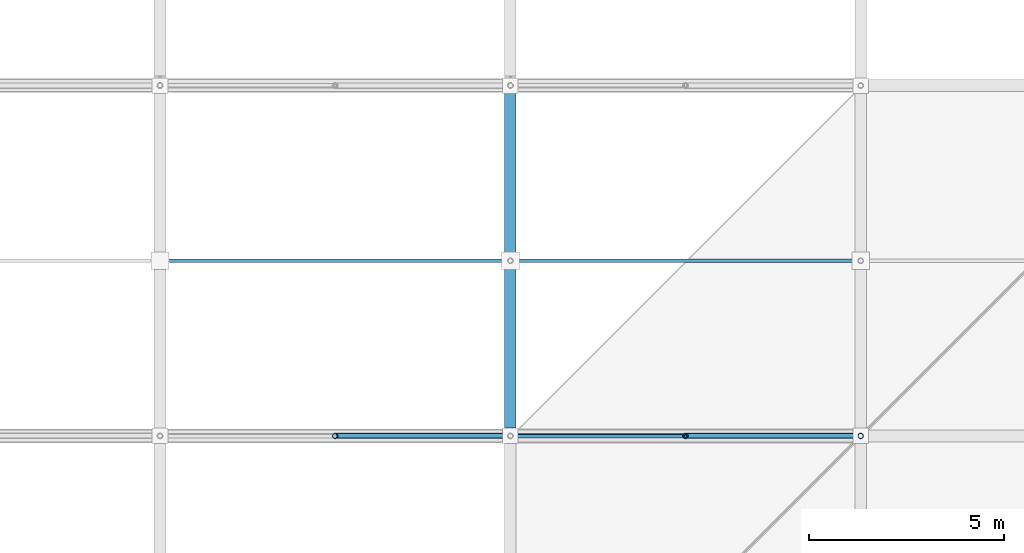
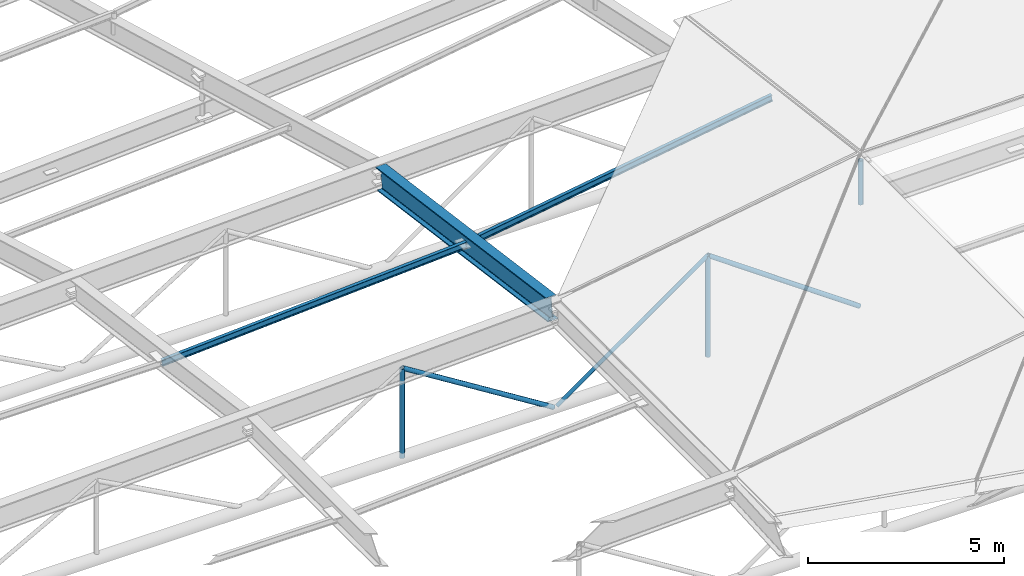
# One storey, part 42 of 80: 8 members, 1 beam.
"""IFC4 building model written with IfcOpenShell, lengths in metres."""

from ifc_helpers import new_model, si_unit, direction, frame, origin, origin_2d, place, context, subcontext, project, spatial, hollow_circle, i_section, extrude, material, material_profile, profile_set, type_object, element, save


model = new_model("IFC4")

# Units and contexts
model_context = context("Model", 3, precision=1e-05, world=origin(), true_north=direction((0.0, 1.0)))
body_context = subcontext(model_context, "Body", "Model", "MODEL_VIEW")
ifc_project = project(units=[si_unit("LENGTHUNIT", "METRE"), si_unit("AREAUNIT", "SQUARE_METRE"), si_unit("VOLUMEUNIT", "CUBIC_METRE"), si_unit("PLANEANGLEUNIT", "RADIAN"), si_unit("MASSUNIT", "GRAM", prefix="KILO")], contexts=[model_context])

# Site, building, storey
site_placement = place(None, origin())
site = spatial("IfcSite", under=ifc_project, at=site_placement, CompositionType="ELEMENT")
building_placement = place(site_placement, origin())
building = spatial("IfcBuilding", under=site, at=building_placement, Name="Barlavento Convention Centre", CompositionType="ELEMENT")
storey_placement = place(building_placement, frame((0.0, 0.0, 29.800048828125)))
storey = spatial("IfcBuildingStorey", under=building, at=storey_placement, Name="RF", CompositionType="ELEMENT", Elevation=29.800048828125)

# Beam
ifc_material_1 = material(Name="Steel S460", Category="steel")
ifc_material_profile_1 = material_profile(ifc_material_1, i_section(OverallWidth=0.300048828125, OverallDepth=0.699951171875, WebThickness=0.01708984375, FlangeThickness=0.031982421875, FilletRadius=0.027099609375, at=origin_2d()), Name="HEB 700")
ifc_profile_set_1 = profile_set([ifc_material_profile_1], Name="Steel S460")
beam_type = type_object("IfcBeamType", Name="STR-BM-TRUSS-TOP-HEB700", PredefinedType="BEAM", material=ifc_profile_set_1)
beam_placement = place(storey_placement, frame((45.0, 27.155029296875, -0.197021484375), z_axis=(0.0, 0.990821696495, -0.13517531489), x_axis=(-1.0, 0.0, 0.0)))
element("IfcBeam", 1, at=beam_placement, inside=storey, type_object=beam_type, Name="Congress roof truss space frame chord", PredefinedType="BEAM", context=body_context, shape_type="SweptSolid", body=[
    extrude(i_section(OverallWidth=0.300048828125, OverallDepth=0.699951171875, WebThickness=0.01708984375, FlangeThickness=0.031982421875, FilletRadius=0.027099609375, at=origin_2d()), origin(), (0.0, 0.0, 1.0), 8.7705078125),
])

# Members
ifc_material_2 = material(Name="Steel S355", Category="steel")
ifc_material_profile_2 = material_profile(ifc_material_2, hollow_circle(Radius=0.05712890625, WallThickness=0.00634765625, at=origin_2d()), Name="CHS 114.3x6.3")
ifc_profile_set_2 = profile_set([ifc_material_profile_2], Name="Steel S355")
member_type_1 = type_object("IfcMemberType", Name="STR-MEM-DIAG-CHS114", PredefinedType="BRACE", material=ifc_profile_set_2)
member_1_placement = place(storey_placement, frame((45.050048828125, 27.0, -3.15625), z_axis=(0.817413803331, 0.0, 0.576050930147), x_axis=(0.0, 1.0, 0.0)))
element("IfcMember", 2, at=member_1_placement, inside=storey, type_object=member_type_1, Name="Plenary hall roof truss web member", PredefinedType="BRACE", context=body_context, shape_type="SweptSolid", body=[
    extrude(hollow_circle(Radius=0.05712890625, WallThickness=0.00634765625, at=origin_2d()), origin(), (0.0, 0.0, 1.0), 5.44384765625),
])
ifc_material_profile_3 = material_profile(ifc_material_2, hollow_circle(Radius=0.06982421875, WallThickness=0.008056640625, at=origin_2d()), Name="CHS 139.7x8.0")
ifc_profile_set_3 = profile_set([ifc_material_profile_3], Name="Steel S355")
member_type_2 = type_object("IfcMemberType", Name="STR-MEM-DIAG-CHS139", PredefinedType="BRACE", material=ifc_profile_set_3)
member_2_placement = place(storey_placement, frame((40.5, 27.0, -3.15625), z_axis=(0.0, 0.0, 1.0), x_axis=(1.0, 0.0, 0.0)))
element("IfcMember", 3, at=member_2_placement, inside=storey, type_object=member_type_2, Name="Plenary hall roof truss web member", PredefinedType="BRACE", context=body_context, shape_type="SweptSolid", body=[
    extrude(hollow_circle(Radius=0.06982421875, WallThickness=0.008056640625, at=origin_2d()), origin(), (0.0, 0.0, 1.0), 2.78271484375),
])
member_3_placement = place(storey_placement, frame((40.5, 27.0, -0.37353515625), z_axis=(0.847870226103, 0.0, -0.530203809575), x_axis=(0.0, 1.0, 0.0)))
element("IfcMember", 4, at=member_3_placement, inside=storey, type_object=member_type_2, Name="Plenary hall roof truss web member", PredefinedType="BRACE", context=body_context, shape_type="SweptSolid", body=[
    extrude(hollow_circle(Radius=0.06982421875, WallThickness=0.008056640625, at=origin_2d()), origin(), (0.0, 0.0, 1.0), 5.248291015625),
])
member_4_placement = place(storey_placement, frame((49.5, 27.0, -3.15625), z_axis=(0.0, 0.0, 1.0), x_axis=(1.0, 0.0, 0.0)))
element("IfcMember", 5, at=member_4_placement, inside=storey, type_object=member_type_2, Name="Plenary hall roof truss web member", PredefinedType="BRACE", context=body_context, shape_type="SweptSolid", body=[
    extrude(hollow_circle(Radius=0.06982421875, WallThickness=0.008056640625, at=origin_2d()), origin(), (0.0, 0.0, 1.0), 3.135986328125),
])
member_5_placement = place(storey_placement, frame((49.5, 27.0, -0.020263671875), z_axis=(0.817413803331, 0.0, -0.576050930147), x_axis=(0.0, 1.0, 0.0)))
element("IfcMember", 6, at=member_5_placement, inside=storey, type_object=member_type_2, Name="Plenary hall roof truss web member", PredefinedType="BRACE", context=body_context, shape_type="SweptSolid", body=[
    extrude(hollow_circle(Radius=0.06982421875, WallThickness=0.008056640625, at=origin_2d()), origin(), (0.0, 0.0, 1.0), 5.44384765625),
])
member_6_placement = place(storey_placement, frame((54.0, 27.0, 0.00634765625), z_axis=(0.0, 0.0, 1.0), x_axis=(1.0, 0.0, 0.0)))
element("IfcMember", 7, at=member_6_placement, inside=storey, type_object=member_type_2, Name="Congress space frame vertical node post TD04", PredefinedType="BRACE", context=body_context, shape_type="SweptSolid", body=[
    extrude(hollow_circle(Radius=0.06982421875, WallThickness=0.008056640625, at=origin_2d()), origin(), (0.0, 0.0, 1.0), 1.369873046875),
])
ifc_material_profile_4 = material_profile(ifc_material_2, i_section(OverallWidth=0.10009765625, OverallDepth=0.199951171875, WebThickness=0.005615234375, FlangeThickness=0.008544921875, FilletRadius=0.011962890625, at=origin_2d()), Name="IPE 200")
ifc_profile_set_4 = profile_set([ifc_material_profile_4], Name="Steel S355")
member_type_3 = type_object("IfcMemberType", Name="STR-MEM-PUR-IPE200", PredefinedType="PURLIN", material=ifc_profile_set_4)
member_7_placement = place(storey_placement, frame((36.02001953125, 31.5, -1.36865234375), z_axis=(0.998175457538, 0.0, 0.060380095797), x_axis=(0.0, 1.0, 0.0)))
element("IfcMember", 8, at=member_7_placement, inside=storey, type_object=member_type_3, Name="Congress roof intermediate purlin PR01", PredefinedType="PURLIN", context=body_context, shape_type="SweptSolid", body=[
    extrude(i_section(OverallWidth=0.10009765625, OverallDepth=0.199951171875, WebThickness=0.005615234375, FlangeThickness=0.008544921875, FilletRadius=0.011962890625, at=origin_2d()), origin(), (0.0, 0.0, 1.0), 8.976318359375),
])
member_8_placement = place(storey_placement, frame((45.02001953125, 31.5, -0.8076171875), z_axis=(0.987828132709, 0.0, 0.155549285529), x_axis=(0.0, 1.0, 0.0)))
element("IfcMember", 9, at=member_8_placement, inside=storey, type_object=member_type_3, Name="Congress roof intermediate purlin PR01", PredefinedType="PURLIN", context=body_context, shape_type="SweptSolid", body=[
    extrude(i_section(OverallWidth=0.10009765625, OverallDepth=0.199951171875, WebThickness=0.005615234375, FlangeThickness=0.008544921875, FilletRadius=0.011962890625, at=origin_2d()), origin(), (0.0, 0.0, 1.0), 9.0703125),
])

save(model, "model.ifc")
